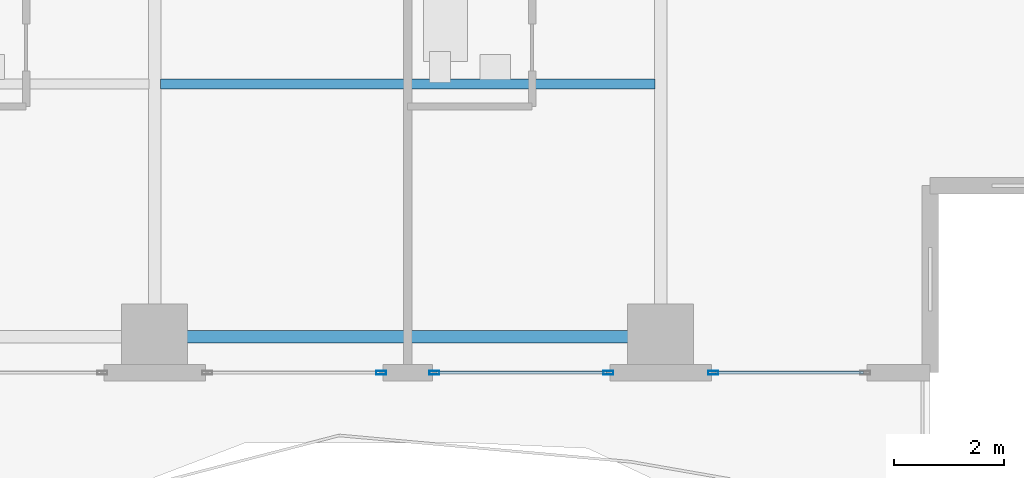
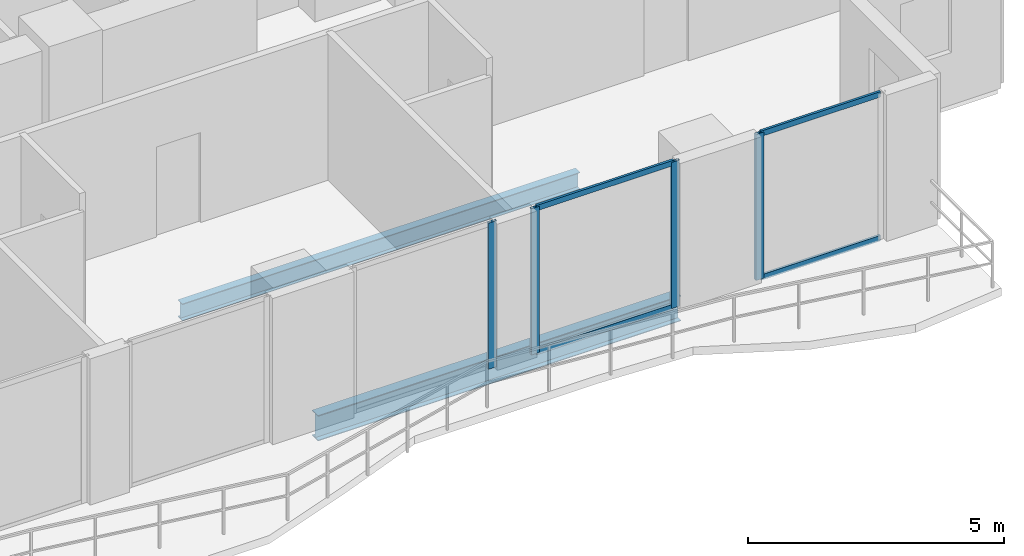
# One storey, part 9 of 33: 8 members, 2 beams, 3 elements without a shape of their own.
"""IFC4 building model written with IfcOpenShell, lengths in metres."""

from ifc_helpers import new_model, si_unit, direction, frame, origin, origin_2d, place, context, subcontext, project, spatial, hollow_rectangle, i_section, extrude, material, layer, layer_set, material_profile, profile_set, type_object, element, aggregate, save


model = new_model("IFC4")

# Units and contexts
model_context = context("Model", 3, precision=1e-05, world=origin(), true_north=direction((0.0, 1.0)))
body_context = subcontext(model_context, "Body", "Model", "MODEL_VIEW")
ifc_project = project(units=[si_unit("LENGTHUNIT", "METRE"), si_unit("AREAUNIT", "SQUARE_METRE"), si_unit("VOLUMEUNIT", "CUBIC_METRE"), si_unit("PLANEANGLEUNIT", "RADIAN"), si_unit("MASSUNIT", "GRAM", prefix="KILO")], contexts=[model_context])

# Site, building, storey
site_placement = place(None, origin())
site = spatial("IfcSite", under=ifc_project, at=site_placement, CompositionType="ELEMENT")
building_placement = place(site_placement, origin())
building = spatial("IfcBuilding", under=site, at=building_placement, Name="Zuhayl Quay Hotel", CompositionType="ELEMENT")
storey_placement = place(building_placement, frame((0.0, 0.0, 229.89990234375)))
storey = spatial("IfcBuildingStorey", under=building, at=storey_placement, Name="L58", CompositionType="ELEMENT", Elevation=229.89990234375)

# Beams
ifc_material_1 = material(Name="Steel ASTM A992 Grade 50", Category="steel")
ifc_material_profile_1 = material_profile(ifc_material_1, i_section(OverallWidth=0.22802734375, OverallDepth=0.60693359375, WebThickness=0.01123046875, FlangeThickness=0.017333984375, at=origin_2d()), Name="W24X76")
ifc_profile_set_1 = profile_set([ifc_material_profile_1], Name="Steel ASTM A992 Grade 50")
beam_type_1 = type_object("IfcBeamType", Name="BM_B3_W24X76", PredefinedType="BEAM", material=ifc_profile_set_1)
beam_1_placement = place(storey_placement, frame((5.10009765625, -6.949951171875, -0.5234375), z_axis=(1.0, 0.0, 0.0), x_axis=(0.0, 1.0, 0.0)))
element("IfcBeam", 1, at=beam_1_placement, inside=storey, type_object=beam_type_1, Name="L58 Floor Beam RG_L58_03", PredefinedType="BEAM", context=body_context, shape_type="SweptSolid", body=[
    extrude(i_section(OverallWidth=0.22802734375, OverallDepth=0.60693359375, WebThickness=0.01123046875, FlangeThickness=0.017333984375, at=origin_2d()), origin(), (0.0, 0.0, 1.0), 8.199951171875),
])
ifc_material_profile_2 = material_profile(ifc_material_1, i_section(OverallWidth=0.177978515625, OverallDepth=0.406005859375, WebThickness=0.0078125, FlangeThickness=0.0126953125, at=origin_2d()), Name="W16X40")
ifc_profile_set_2 = profile_set([ifc_material_profile_2], Name="Steel ASTM A992 Grade 50")
beam_type_2 = type_object("IfcBeamType", Name="BM_J2B_W16X40", PredefinedType="JOIST", material=ifc_profile_set_2)
beam_2_placement = place(storey_placement, frame((4.7060546875, -2.35009765625, -0.4228515625), z_axis=(1.0, 0.0, 0.0), x_axis=(0.0, 1.0, 0.0)))
element("IfcBeam", 2, at=beam_2_placement, inside=storey, type_object=beam_type_2, Name="L58 Floor Beam FJ_L58_7_3", PredefinedType="JOIST", context=body_context, shape_type="SweptSolid", body=[
    extrude(i_section(OverallWidth=0.177978515625, OverallDepth=0.406005859375, WebThickness=0.0078125, FlangeThickness=0.0126953125, at=origin_2d()), origin(), (0.0, 0.0, 1.0), 8.988037109375),
])

# Curtain wall, member
ifc_material_2 = material(Name="Anodised Aluminium 6063-T6", Category="aluminium")
ifc_layer = layer(ifc_material_2, 0.175048828125, Name="Anodised Aluminium 6063-T6", Category="aluminium")
ifc_layer_set = layer_set([ifc_layer], Name="Anodised Aluminium 6063-T6")
curtain_wall_type = type_object("IfcCurtainWallType", Name="CW_SYS_Z3", PredefinedType="USERDEFINED", material=ifc_layer_set)
curtain_wall_1_placement = place(storey_placement, origin())
curtain_wall_1 = element("IfcCurtainWall", 3, at=curtain_wall_1_placement, inside=storey, type_object=curtain_wall_type, Name="L58 Curtain Wall ENV_L58_S_CW1", ObjectType="UNITISED CURTAIN WALL", PredefinedType="USERDEFINED")
ifc_material_3 = material(Name="Black-anodised aluminium 6063-T6", Category="aluminium")
ifc_material_profile_3 = material_profile(ifc_material_3, hollow_rectangle(XDim=0.06494140625, YDim=0.179931640625, WallThickness=0.00341796875, at=origin_2d()), Name="ALU180X65")
ifc_profile_set_3 = profile_set([ifc_material_profile_3], Name="Black-anodised aluminium 6063-T6")
member_type_1 = type_object("IfcMemberType", Name="MB_CW_MUL_180", PredefinedType="MULLION", material=ifc_profile_set_3)
member_1_placement = place(storey_placement, frame((14.75244140625, -7.60009765625, 0.0), z_axis=(0.0, 0.0, 1.0), x_axis=(0.0, -1.0, 0.0)))
member_1 = element("IfcMember", 4, at=member_1_placement, type_object=member_type_1, Name="CW-Z3 mullion 2", PredefinedType="MULLION", context=body_context, shape_type="SweptSolid", body=[
    extrude(hollow_rectangle(XDim=0.06494140625, YDim=0.179931640625, WallThickness=0.00341796875, at=origin_2d()), origin(), (0.0, 0.0, 1.0), 3.489990234375),
])

# Curtain wall, members
curtain_wall_2_placement = place(storey_placement, origin())
curtain_wall_2 = element("IfcCurtainWall", 5, at=curtain_wall_2_placement, inside=storey, type_object=curtain_wall_type, Name="L58 Curtain Wall ENV_L58_S_CW2", ObjectType="UNITISED CURTAIN WALL", PredefinedType="USERDEFINED")
member_2_placement = place(storey_placement, frame((12.847412109375, -7.60009765625, 0.0), z_axis=(0.0, 0.0, 1.0), x_axis=(0.0, -1.0, 0.0)))
member_2 = element("IfcMember", 6, at=member_2_placement, type_object=member_type_1, Name="CW-Z3 mullion 1", PredefinedType="MULLION", context=body_context, shape_type="SweptSolid", body=[
    extrude(hollow_rectangle(XDim=0.06494140625, YDim=0.179931640625, WallThickness=0.00341796875, at=origin_2d()), origin(), (0.0, 0.0, 1.0), 3.489990234375),
])
member_3_placement = place(storey_placement, frame((9.6826171875, -7.60009765625, 0.0), z_axis=(0.0, 0.0, 1.0), x_axis=(0.0, -1.0, 0.0)))
member_3 = element("IfcMember", 7, at=member_3_placement, type_object=member_type_1, Name="CW-Z3 mullion 2", PredefinedType="MULLION", context=body_context, shape_type="SweptSolid", body=[
    extrude(hollow_rectangle(XDim=0.06494140625, YDim=0.179931640625, WallThickness=0.00341796875, at=origin_2d()), origin(), (0.0, 0.0, 1.0), 3.489990234375),
])

# Curtain wall, member
curtain_wall_3_placement = place(storey_placement, origin())
curtain_wall_3 = element("IfcCurtainWall", 8, at=curtain_wall_3_placement, inside=storey, type_object=curtain_wall_type, Name="L58 Curtain Wall ENV_L58_S_CW3", ObjectType="UNITISED CURTAIN WALL", PredefinedType="USERDEFINED")
member_4_placement = place(storey_placement, frame((8.717529296875, -7.60009765625, 0.0), z_axis=(0.0, 0.0, 1.0), x_axis=(0.0, -1.0, 0.0)))
member_4 = element("IfcMember", 9, at=member_4_placement, type_object=member_type_1, Name="CW-Z3 mullion 1", PredefinedType="MULLION", context=body_context, shape_type="SweptSolid", body=[
    extrude(hollow_rectangle(XDim=0.06494140625, YDim=0.179931640625, WallThickness=0.00341796875, at=origin_2d()), origin(), (0.0, 0.0, 1.0), 3.489990234375),
])
aggregate(curtain_wall_3, [member_4])

# Member
ifc_material_profile_4 = material_profile(ifc_material_3, hollow_rectangle(XDim=0.054931640625, YDim=0.1298828125, WallThickness=0.0029296875, at=origin_2d()), Name="ALU130X55")
ifc_profile_set_4 = profile_set([ifc_material_profile_4], Name="Black-anodised aluminium 6063-T6")
member_type_2 = type_object("IfcMemberType", Name="MB_CW_TRN_130", PredefinedType="USERDEFINED", material=ifc_profile_set_4)
member_5_placement = place(storey_placement, frame((17.485107421875, -7.60009765625, 0.027587890625), z_axis=(-1.0, 0.0, 0.0), x_axis=(0.0, -1.0, 0.0)))
member_5 = element("IfcMember", 10, at=member_5_placement, type_object=member_type_2, Name="CW-Z3 transom 1.1", ObjectType="TRANSOM", PredefinedType="USERDEFINED", context=body_context, shape_type="SweptSolid", body=[
    extrude(hollow_rectangle(XDim=0.054931640625, YDim=0.1298828125, WallThickness=0.0029296875, at=origin_2d()), origin(), (0.0, 0.0, 1.0), 2.7001953125),
])

member_6_placement = place(storey_placement, frame((17.485107421875, -7.60009765625, 3.462646484375), z_axis=(-1.0, 0.0, 0.0), x_axis=(0.0, -1.0, 0.0)))
member_6 = element("IfcMember", 11, at=member_6_placement, type_object=member_type_2, Name="CW-Z3 transom 1.2", ObjectType="TRANSOM", PredefinedType="USERDEFINED", context=body_context, shape_type="SweptSolid", body=[
    extrude(hollow_rectangle(XDim=0.054931640625, YDim=0.1298828125, WallThickness=0.0029296875, at=origin_2d()), origin(), (0.0, 0.0, 1.0), 2.7001953125),
])

aggregate(curtain_wall_1, [member_1, member_5, member_6])

member_7_placement = place(storey_placement, frame((12.81494140625, -7.60009765625, 0.027587890625), z_axis=(-1.0, 0.0, 0.0), x_axis=(0.0, -1.0, 0.0)))
member_7 = element("IfcMember", 12, at=member_7_placement, type_object=member_type_2, Name="CW-Z3 transom 1.1", ObjectType="TRANSOM", PredefinedType="USERDEFINED", context=body_context, shape_type="SweptSolid", body=[
    extrude(hollow_rectangle(XDim=0.054931640625, YDim=0.1298828125, WallThickness=0.0029296875, at=origin_2d()), origin(), (0.0, 0.0, 1.0), 3.099853515625),
])

member_8_placement = place(storey_placement, frame((12.81494140625, -7.60009765625, 3.462646484375), z_axis=(-1.0, 0.0, 0.0), x_axis=(0.0, -1.0, 0.0)))
member_8 = element("IfcMember", 13, at=member_8_placement, type_object=member_type_2, Name="CW-Z3 transom 1.2", ObjectType="TRANSOM", PredefinedType="USERDEFINED", context=body_context, shape_type="SweptSolid", body=[
    extrude(hollow_rectangle(XDim=0.054931640625, YDim=0.1298828125, WallThickness=0.0029296875, at=origin_2d()), origin(), (0.0, 0.0, 1.0), 3.099853515625),
])

aggregate(curtain_wall_2, [member_2, member_3, member_7, member_8])

save(model, "model.ifc")
